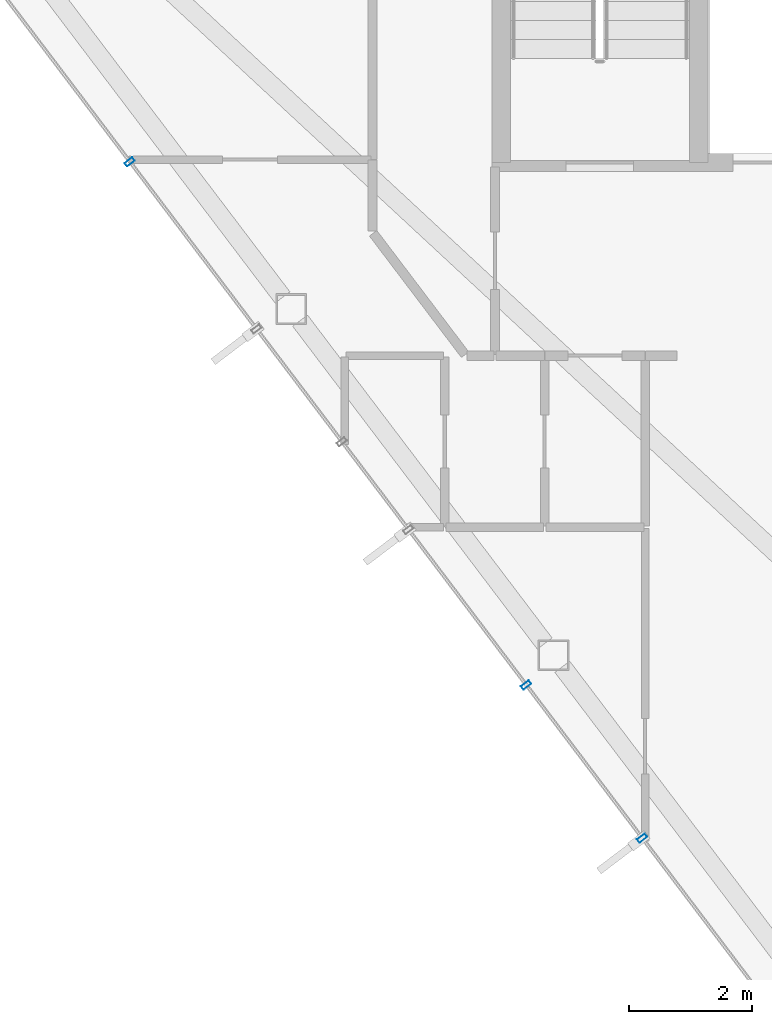
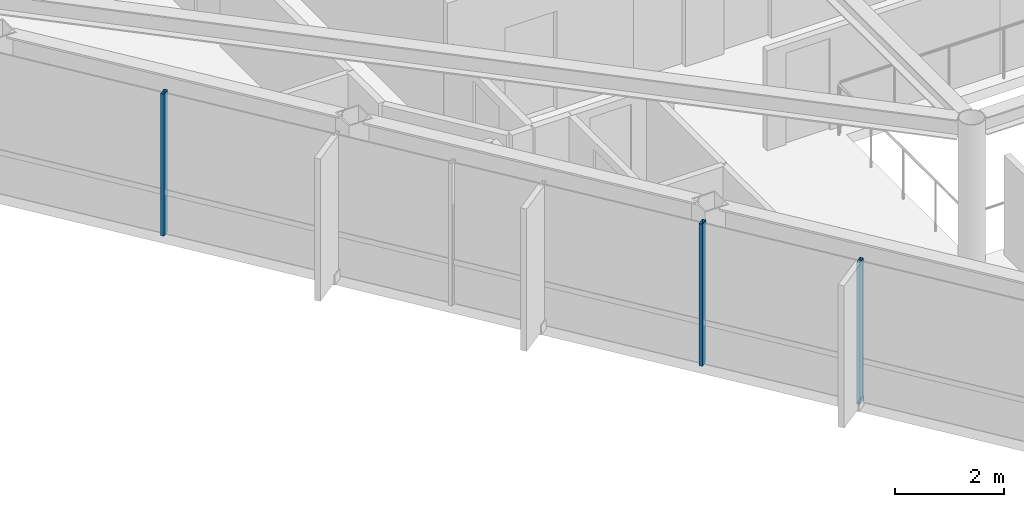
# One storey, part 2 of 25: 3 members, 1 element without a shape of its own.
"""IFC4 building model written with IfcOpenShell, lengths in metres."""

from ifc_helpers import new_model, si_unit, direction, frame, origin, origin_2d, place, context, subcontext, project, spatial, hollow_rectangle, extrude, material, layer, layer_set, material_profile, profile_set, type_object, element, aggregate, save


model = new_model("IFC4")

# Units and contexts
model_context = context("Model", 3, precision=1e-05, world=origin(), true_north=direction((0.0, 1.0)))
body_context = subcontext(model_context, "Body", "Model", "MODEL_VIEW")
ifc_project = project(units=[si_unit("LENGTHUNIT", "METRE"), si_unit("AREAUNIT", "SQUARE_METRE"), si_unit("VOLUMEUNIT", "CUBIC_METRE"), si_unit("PLANEANGLEUNIT", "RADIAN"), si_unit("MASSUNIT", "GRAM", prefix="KILO")], contexts=[model_context])

# Site, building, storey
site_placement = place(None, origin())
site = spatial("IfcSite", under=ifc_project, at=site_placement, CompositionType="ELEMENT")
building_placement = place(site_placement, origin())
building = spatial("IfcBuilding", under=site, at=building_placement, Name="Zarrinselat Tower", CompositionType="ELEMENT")
storey_placement = place(building_placement, frame((0.0, 0.0, 261.800048828125)))
storey = spatial("IfcBuildingStorey", under=building, at=storey_placement, Name="L66", CompositionType="ELEMENT", Elevation=261.800048828125)

# Curtain wall, members
ifc_material_1 = material(Name="Extruded Aluminium Alloy EN AW-6063 T6", Category="aluminium")
ifc_layer = layer(ifc_material_1, 0.169921875)
ifc_layer_set = layer_set([ifc_layer], Name="Extruded Aluminium Alloy EN AW-6063 T6")
curtain_wall_type = type_object("IfcCurtainWallType", Name="CWS-RES", PredefinedType="NOTDEFINED", material=ifc_layer_set)
curtain_wall_placement = place(storey_placement, origin())
curtain_wall = element("IfcCurtainWall", 1, at=curtain_wall_placement, inside=storey, type_object=curtain_wall_type, Name="L66 Unitised Curtain Wall CW-L66-E03", PredefinedType="NOTDEFINED")
ifc_material_2 = material(Name="Extruded Aluminium Alloy EN AW-6063 T6", Category="aluminium")
ifc_material_profile = material_profile(ifc_material_2, hollow_rectangle(XDim=0.070068359375, YDim=0.159912109375, WallThickness=0.00390625, at=origin_2d()), Name="RHS 160x70x4")
ifc_profile_set = profile_set([ifc_material_profile], Name="Extruded Aluminium Alloy EN AW-6063 T6")
member_type = type_object("IfcMemberType", Name="MEM-CW-MUL2", PredefinedType="MULLION", material=ifc_profile_set)
member_1_placement = place(storey_placement, frame((22.59326171875, 33.311767578125, 0.0), z_axis=(0.0, 0.0, 1.0), x_axis=(0.603858282603, -0.797091697694, 0.0)))
member_1 = element("IfcMember", 2, at=member_1_placement, type_object=member_type, Name="CW-L66-E03 Mullion 4", PredefinedType="MULLION", context=body_context, shape_type="SweptSolid", body=[
    extrude(hollow_rectangle(XDim=0.070068359375, YDim=0.159912109375, WallThickness=0.00390625, at=origin_2d()), origin(), (0.0, 0.0, 1.0), 3.179931640625),
])
member_2_placement = place(storey_placement, frame((29.05810546875, 24.7783203125, 0.0), z_axis=(0.0, 0.0, 1.0), x_axis=(0.603858282603, -0.797091697694, 0.0)))
member_2 = element("IfcMember", 3, at=member_2_placement, type_object=member_type, Name="CW-L66-E03 Mullion 8", PredefinedType="MULLION", context=body_context, shape_type="SweptSolid", body=[
    extrude(hollow_rectangle(XDim=0.070068359375, YDim=0.159912109375, WallThickness=0.00390625, at=origin_2d()), origin(), (0.0, 0.0, 1.0), 3.179931640625),
])
member_3_placement = place(storey_placement, frame((30.9501953125, 22.280517578125, 0.0), z_axis=(0.0, 0.0, 1.0), x_axis=(0.603858282603, -0.797091697694, 0.0)))
member_3 = element("IfcMember", 4, at=member_3_placement, type_object=member_type, Name="CW-L66-E03 Mullion 9", PredefinedType="MULLION", context=body_context, shape_type="SweptSolid", body=[
    extrude(hollow_rectangle(XDim=0.070068359375, YDim=0.159912109375, WallThickness=0.00390625, at=origin_2d()), origin(), (0.0, 0.0, 1.0), 3.179931640625),
])
aggregate(curtain_wall, [member_1, member_2, member_3])

save(model, "model.ifc")
